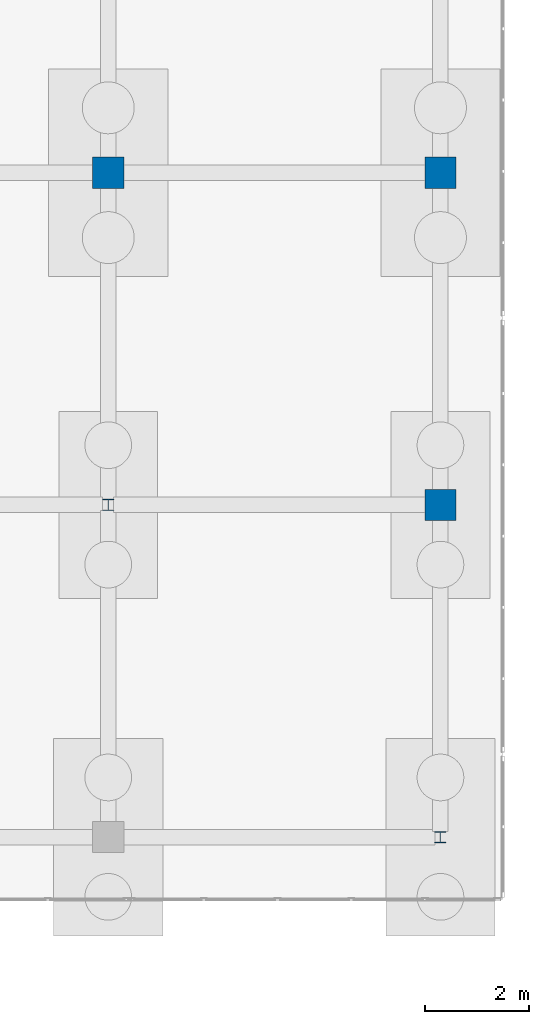
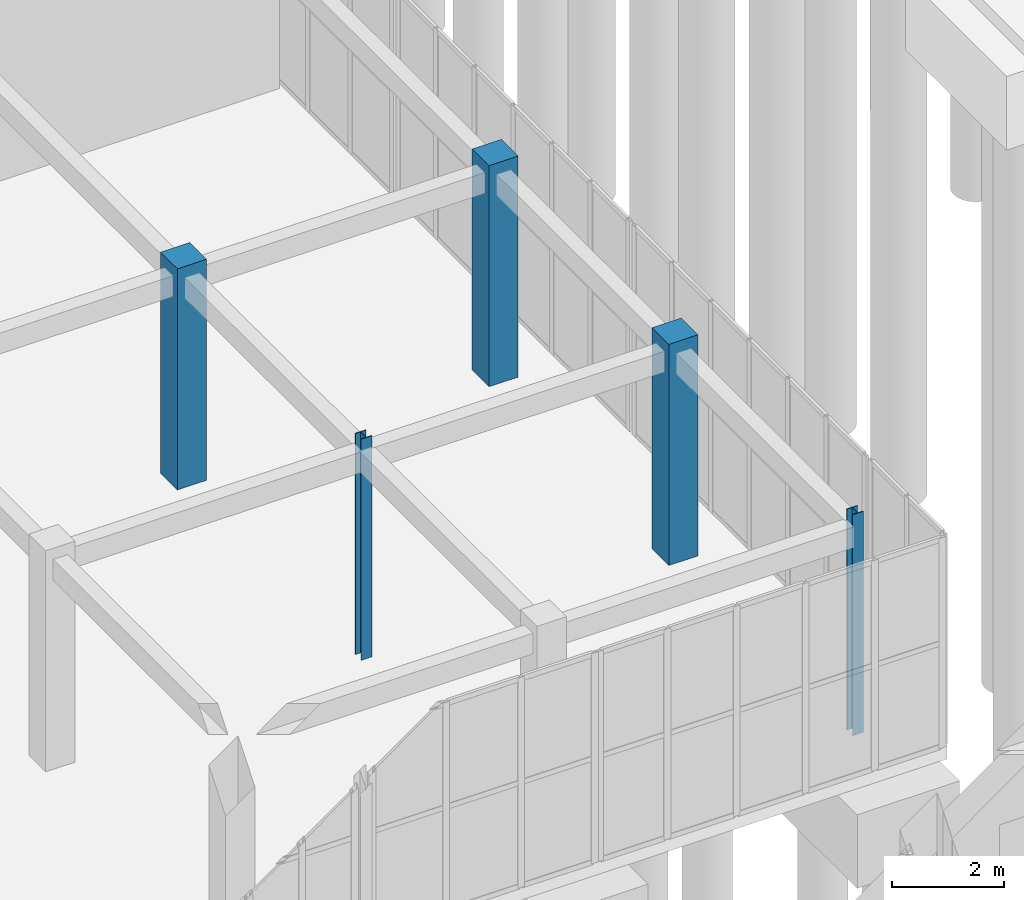
# One storey, part 27 of 192: 5 columns.
"""IFC4 building model written with IfcOpenShell, lengths in metres."""

from ifc_helpers import new_model, si_unit, direction, frame, origin, origin_2d, place, context, subcontext, project, spatial, rectangle, i_section, extrude, material, material_profile, profile_set, type_object, element, save


model = new_model("IFC4")

# Units and contexts
model_context = context("Model", 3, precision=1e-05, world=origin(), true_north=direction((0.0, 1.0)))
body_context = subcontext(model_context, "Body", "Model", "MODEL_VIEW")
ifc_project = project(units=[si_unit("LENGTHUNIT", "METRE"), si_unit("AREAUNIT", "SQUARE_METRE"), si_unit("VOLUMEUNIT", "CUBIC_METRE"), si_unit("PLANEANGLEUNIT", "RADIAN"), si_unit("MASSUNIT", "GRAM", prefix="KILO")], contexts=[model_context])

# Site, building, storey
site_placement = place(None, origin())
site = spatial("IfcSite", under=ifc_project, at=site_placement, CompositionType="ELEMENT")
building_placement = place(site_placement, origin())
building = spatial("IfcBuilding", under=site, at=building_placement, Name="Trelvath General Hospital", CompositionType="ELEMENT")
storey_placement = place(building_placement, origin())
storey = spatial("IfcBuildingStorey", under=building, at=storey_placement, Name="L00", CompositionType="ELEMENT", Elevation=0.0)

# Columns
ifc_material_1 = material(Name="Concrete C40/50", Category="concrete")
ifc_material_profile_1 = material_profile(ifc_material_1, rectangle(XDim=0.60009765625, YDim=0.60009765625, at=origin_2d()), Name="RC600x600")
ifc_profile_set_1 = profile_set([ifc_material_profile_1], Name="Concrete C40/50")
column_type_1 = type_object("IfcColumnType", Name="Column RC600", PredefinedType="COLUMN", material=ifc_profile_set_1)
for number, where, z_axis, x_axis, name in (
    (1, (113.60009765625, 44.800048828125, 0.0), (0.0, 0.0, 1.0), (1.0, 0.0, 0.0), "Cube Interior Column CC-E10 L00"),
    (2, (120.0, 38.39990234375, 0.0), (0.0, 0.0, 1.0), (1.0, 0.0, 0.0), "Cube Interior Column CC-E16 L00"),
    (3, (120.0, 44.800048828125, 0.0), (0.0, 0.0, 1.0), (1.0, 0.0, 0.0), "Cube Interior Column CC-E17 L00"),
):
    element("IfcColumn", number, at=place(storey_placement, frame(where, z_axis=z_axis, x_axis=x_axis)), inside=storey, type_object=column_type_1, Name=name, PredefinedType="COLUMN", context=body_context, shape_type="SweptSolid", body=[
        extrude(rectangle(XDim=0.60009765625, YDim=0.60009765625, at=origin_2d()), origin(), (0.0, 0.0, 1.0), 4.800048828125),
    ])
ifc_material_2 = material(Name="Steel S355", Category="steel")
ifc_material_profile_2 = material_profile(ifc_material_2, i_section(OverallWidth=0.219970703125, OverallDepth=0.219970703125, WebThickness=0.009521484375, FlangeThickness=0.01611328125, at=origin_2d()), Name="HEB220")
ifc_profile_set_2 = profile_set([ifc_material_profile_2], Name="Steel S355")
column_type_2 = type_object("IfcColumnType", Name="CubePost HEB220", PredefinedType="COLUMN", material=ifc_profile_set_2)
for number, where, z_axis, x_axis, name in (
    (4, (113.60009765625, 38.39990234375, 0.0), (0.0, 0.0, 1.0), (1.0, 0.0, 0.0), "Cube Interior Column CC-E09 L00"),
    (5, (120.0, 32.0, 0.0), (0.0, 0.0, 1.0), (1.0, 0.0, 0.0), "Cube Interior Column CC-E15 L00"),
):
    element("IfcColumn", number, at=place(storey_placement, frame(where, z_axis=z_axis, x_axis=x_axis)), inside=storey, type_object=column_type_2, Name=name, PredefinedType="COLUMN", context=body_context, shape_type="SweptSolid", body=[
        extrude(i_section(OverallWidth=0.219970703125, OverallDepth=0.219970703125, WebThickness=0.009521484375, FlangeThickness=0.01611328125, at=origin_2d()), origin(), (0.0, 0.0, 1.0), 4.800048828125),
    ])

save(model, "model.ifc")
